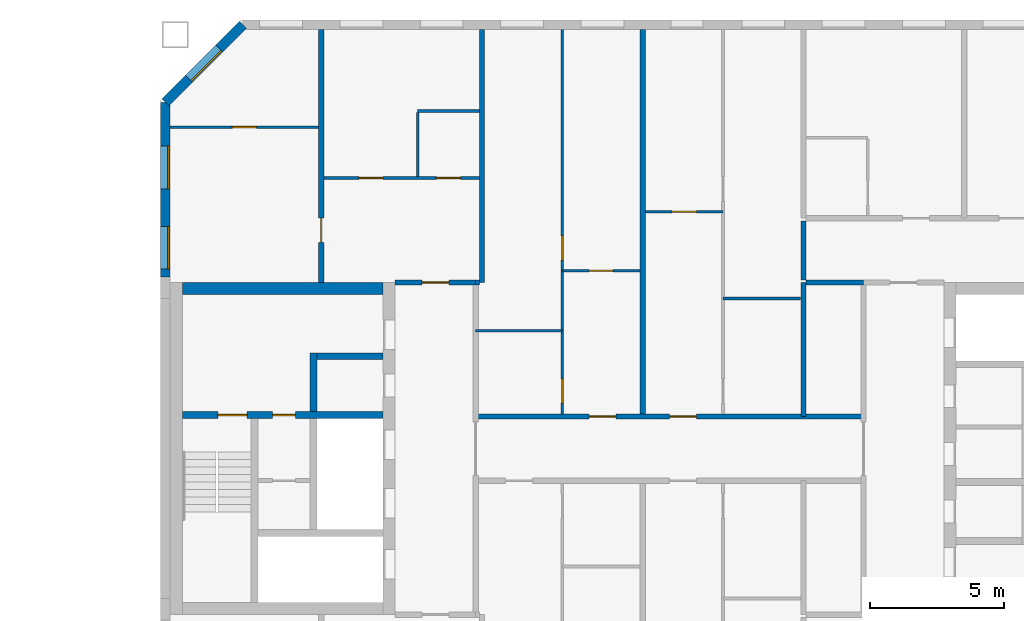
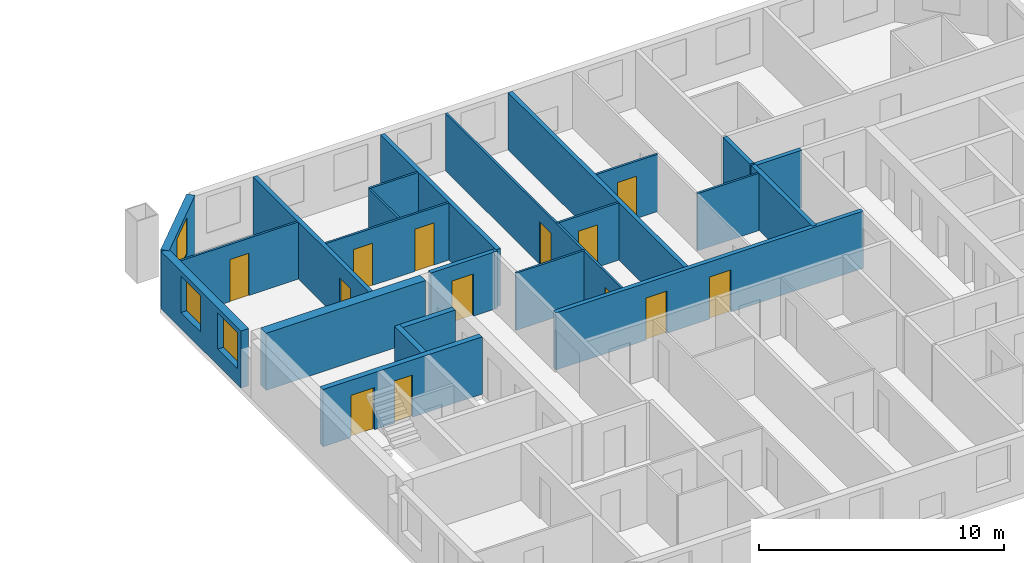
# One storey, part 10 of 15: 24 walls, 13 doors, 3 windows, 16 openings.
"""IFC4 building model written with IfcOpenShell, lengths in metres."""

from ifc_helpers import new_model, si_unit, direction, frame, frame_2d, origin, place, context, subcontext, project, spatial, rectangle, extrude, material, layer, layer_set, type_object, element, fill, save


model = new_model("IFC4")

# Units and contexts
model_context = context("Model", 3, precision=1e-05, world=origin(), true_north=direction((0.0, 1.0)))
body_context = subcontext(model_context, "Body", "Model", "MODEL_VIEW")
ifc_project = project(units=[si_unit("LENGTHUNIT", "METRE"), si_unit("AREAUNIT", "SQUARE_METRE"), si_unit("VOLUMEUNIT", "CUBIC_METRE"), si_unit("PLANEANGLEUNIT", "RADIAN"), si_unit("MASSUNIT", "GRAM", prefix="KILO")], contexts=[model_context])

# Site, building, storey
site_placement = place(None, origin())
site = spatial("IfcSite", under=ifc_project, at=site_placement, CompositionType="ELEMENT")
building_placement = place(site_placement, origin())
building = spatial("IfcBuilding", under=site, at=building_placement, Name="Tuart Gate Housing", CompositionType="ELEMENT")
storey_placement = place(building_placement, frame((0.0, 0.0, 191.300048828125)))
storey = spatial("IfcBuildingStorey", under=building, at=storey_placement, Name="L54", CompositionType="ELEMENT", Elevation=191.300048828125)

# Wall, opening, window
ifc_material_1 = material(Name="Brick", Category="masonry")
ifc_layer_1 = layer(ifc_material_1, 0.360107421875)
ifc_layer_set_1 = layer_set([ifc_layer_1], Name="Brick pier and spandrel wall 360")
wall_type_1 = type_object("IfcWallType", Name="Brick pier and spandrel wall 360", PredefinedType="STANDARD", material=ifc_layer_set_1)
wall_1_placement = place(storey_placement, frame((134.07470703125, 85.820068359375, 0.0), z_axis=(0.0, 0.0, 1.0), x_axis=(-0.707106781187, -0.707106781187, 0.0)))
wall_1 = element("IfcWall", 1, at=wall_1_placement, inside=storey, type_object=wall_type_1, Name="External wall B-NW L54", PredefinedType="STANDARD", context=body_context, shape_type="SweptSolid", body=[
    extrude(rectangle(XDim=4.09375, YDim=0.360107421875, at=frame_2d((2.046875, 0.0))), origin(), (0.0, 0.0, 1.0), 2.849853515625),
])
opening_1_placement = place(wall_1_placement, frame((1.2470703125, 0.0, 0.800048828125)))
opening_1 = element("IfcOpeningElement", 2, at=opening_1_placement, cuts=wall_1, Name="Opening W1", PredefinedType="OPENING", context=body_context, shape_type="SweptSolid", body=[
    extrude(rectangle(XDim=1.60009765625, YDim=1.800048828125, at=frame_2d((0.800048828125, 0.89990234375))), frame((0.0, 0.18994140625, 0.0), z_axis=(0.0, -1.0, 0.0), x_axis=(1.0, 0.0, 0.0)), (0.0, 0.0, 1.0), 0.380126953125),
])
ifc_material_2 = material(Name="Aluminium frame with clear glass", Category="aluminium")
window_type = type_object("IfcWindowType", Name="Punched window 1600 x 1800", PartitioningType="SINGLE_PANEL", PredefinedType="WINDOW", material=ifc_material_2)
window_1_placement = place(opening_1_placement, origin())
window_1 = element("IfcWindow", 3, at=window_1_placement, inside=storey, type_object=window_type, Name="Window W1", OverallHeight=1.800048828125, OverallWidth=1.60009765625, PartitioningType="SINGLE_PANEL", PredefinedType="WINDOW", context=body_context, shape_type="SweptSolid", body=[
    extrude(rectangle(XDim=1.60009765625, YDim=1.800048828125, at=frame_2d((0.800048828125, 0.89990234375))), frame((0.0, 0.150146484375, 0.0), z_axis=(0.0, -1.0, 0.0), x_axis=(1.0, 0.0, 0.0)), (0.0, 0.0, 1.0), 0.06005859375),
])
fill(opening_1, window_1)

# Wall, openings, windows
wall_2_placement = place(storey_placement, frame((131.179931640625, 82.92529296875, 0.0), z_axis=(0.0, 0.0, 1.0), x_axis=(0.0, -1.0, 0.0)))
wall_2 = element("IfcWall", 4, at=wall_2_placement, inside=storey, type_object=wall_type_1, Name="External wall B-W L54", PredefinedType="STANDARD", context=body_context, shape_type="SweptSolid", body=[
    extrude(rectangle(XDim=6.522216796875, YDim=0.360107421875, at=frame_2d((3.26123046875, 0.0))), origin(), (0.0, 0.0, 1.0), 2.849853515625),
])
opening_2_placement = place(wall_2_placement, frame((1.62548828125, 0.0, 0.800048828125)))
opening_2 = element("IfcOpeningElement", 5, at=opening_2_placement, cuts=wall_2, Name="Opening W1", PredefinedType="OPENING", context=body_context, shape_type="SweptSolid", body=[
    extrude(rectangle(XDim=1.60009765625, YDim=1.800048828125, at=frame_2d((0.800048828125, 0.89990234375))), frame((0.0, 0.18994140625, 0.0), z_axis=(0.0, -1.0, 0.0), x_axis=(1.0, 0.0, 0.0)), (0.0, 0.0, 1.0), 0.380126953125),
])
opening_3_placement = place(wall_2_placement, frame((4.62548828125, 0.0, 0.800048828125)))
opening_3 = element("IfcOpeningElement", 6, at=opening_3_placement, cuts=wall_2, Name="Opening W1", PredefinedType="OPENING", context=body_context, shape_type="SweptSolid", body=[
    extrude(rectangle(XDim=1.60009765625, YDim=1.800048828125, at=frame_2d((0.800048828125, 0.89990234375))), frame((0.0, 0.18994140625, 0.0), z_axis=(0.0, -1.0, 0.0), x_axis=(1.0, 0.0, 0.0)), (0.0, 0.0, 1.0), 0.380126953125),
])
window_2_placement = place(opening_2_placement, origin())
window_2 = element("IfcWindow", 7, at=window_2_placement, inside=storey, type_object=window_type, Name="Window W1", OverallHeight=1.800048828125, OverallWidth=1.60009765625, PartitioningType="SINGLE_PANEL", PredefinedType="WINDOW", context=body_context, shape_type="SweptSolid", body=[
    extrude(rectangle(XDim=1.60009765625, YDim=1.800048828125, at=frame_2d((0.800048828125, 0.89990234375))), frame((0.0, 0.150146484375, 0.0), z_axis=(0.0, -1.0, 0.0), x_axis=(1.0, 0.0, 0.0)), (0.0, 0.0, 1.0), 0.06005859375),
])
fill(opening_2, window_2)
window_3_placement = place(opening_3_placement, origin())
window_3 = element("IfcWindow", 8, at=window_3_placement, inside=storey, type_object=window_type, Name="Window W1", OverallHeight=1.800048828125, OverallWidth=1.60009765625, PartitioningType="SINGLE_PANEL", PredefinedType="WINDOW", context=body_context, shape_type="SweptSolid", body=[
    extrude(rectangle(XDim=1.60009765625, YDim=1.800048828125, at=frame_2d((0.800048828125, 0.89990234375))), frame((0.0, 0.150146484375, 0.0), z_axis=(0.0, -1.0, 0.0), x_axis=(1.0, 0.0, 0.0)), (0.0, 0.0, 1.0), 0.06005859375),
])
fill(opening_3, window_3)

# Wall, openings, doors
ifc_material_3 = material(Name="Concrete C40", Category="concrete")
ifc_layer_2 = layer(ifc_material_3, 0.25)
ifc_layer_set_2 = layer_set([ifc_layer_2], Name="Core wall 250 C40")
wall_type_2 = type_object("IfcWallType", Name="Core wall 250 C40", PredefinedType="SHEAR", material=ifc_layer_set_2)
wall_3_placement = place(storey_placement, frame((139.31005859375, 71.25, 0.0), z_axis=(0.0, 0.0, 1.0), x_axis=(-1.0, 0.0, 0.0)))
wall_3 = element("IfcWall", 9, at=wall_3_placement, inside=storey, type_object=wall_type_2, Name="Core wall BG.3", PredefinedType="SHEAR", context=body_context, shape_type="SweptSolid", body=[
    extrude(rectangle(XDim=7.5, YDim=0.25, at=frame_2d((3.75, 0.0))), origin(), (0.0, 0.0, 1.0), 2.849853515625),
])
opening_4_placement = place(wall_3_placement, frame((5.074951171875, 0.0, 0.0)))
opening_4 = element("IfcOpeningElement", 10, at=opening_4_placement, cuts=wall_3, Name="Opening D2681", PredefinedType="OPENING", context=body_context, shape_type="SweptSolid", body=[
    extrude(rectangle(XDim=1.10009765625, YDim=2.10009765625, at=frame_2d((0.550048828125, 1.050048828125))), frame((0.0, 0.135009765625, 0.0), z_axis=(0.0, -1.0, 0.0), x_axis=(1.0, 0.0, 0.0)), (0.0, 0.0, 1.0), 0.27001953125),
])
opening_5_placement = place(wall_3_placement, frame((3.27490234375, 0.0, 0.0)))
opening_5 = element("IfcOpeningElement", 11, at=opening_5_placement, cuts=wall_3, Name="Opening D2680", PredefinedType="OPENING", context=body_context, shape_type="SweptSolid", body=[
    extrude(rectangle(XDim=0.85009765625, YDim=2.10009765625, at=frame_2d((0.425048828125, 1.050048828125))), frame((0.0, 0.135009765625, 0.0), z_axis=(0.0, -1.0, 0.0), x_axis=(1.0, 0.0, 0.0)), (0.0, 0.0, 1.0), 0.27001953125),
])
ifc_material_4 = material(Name="Steel fire door", Category="steel")
door_type_1 = type_object("IfcDoorType", Name="Riser door 850 x 2100", OperationType="SINGLE_SWING_LEFT", PredefinedType="DOOR", material=ifc_material_4)
door_1_placement = place(opening_5_placement, origin())
door_1 = element("IfcDoor", 12, at=door_1_placement, inside=storey, type_object=door_type_1, Name="Service room door BG.W1", OperationType="SINGLE_SWING_LEFT", OverallHeight=2.10009765625, OverallWidth=0.85009765625, PredefinedType="DOOR", context=body_context, shape_type="SweptSolid", body=[
    extrude(rectangle(XDim=0.85009765625, YDim=2.10009765625, at=frame_2d((0.425048828125, 1.050048828125))), frame((0.0, 0.02490234375, 0.0), z_axis=(0.0, -1.0, 0.0), x_axis=(1.0, 0.0, 0.0)), (0.0, 0.0, 1.0), 0.050048828125),
])
fill(opening_5, door_1)
ifc_material_5 = material(Name="Steel fire door", Category="steel")
door_type_2 = type_object("IfcDoorType", Name="Stair door 1100 x 2100", OperationType="SINGLE_SWING_LEFT", PredefinedType="DOOR", material=ifc_material_5)
door_2_placement = place(opening_4_placement, origin())
door_2 = element("IfcDoor", 13, at=door_2_placement, inside=storey, type_object=door_type_2, Name="Stair door BG.SD", OperationType="SINGLE_SWING_LEFT", OverallHeight=2.10009765625, OverallWidth=1.10009765625, PredefinedType="DOOR", context=body_context, shape_type="SweptSolid", body=[
    extrude(rectangle(XDim=1.10009765625, YDim=2.10009765625, at=frame_2d((0.550048828125, 1.050048828125))), frame((0.0, 0.02490234375, 0.0), z_axis=(0.0, -1.0, 0.0), x_axis=(1.0, 0.0, 0.0)), (0.0, 0.0, 1.0), 0.050048828125),
])
fill(opening_4, door_2)

# Walls
wall_4_placement = place(storey_placement, frame((139.31005859375, 73.449951171875, 0.0), z_axis=(0.0, 0.0, 1.0), x_axis=(-1.0, 0.0, 0.0)))
element("IfcWall", 14, at=wall_4_placement, inside=storey, type_object=wall_type_2, Name="Core wall BG.4", PredefinedType="SHEAR", context=body_context, shape_type="SweptSolid", body=[
    extrude(rectangle(XDim=2.47509765625, YDim=0.25, at=frame_2d((1.237548828125, 0.0))), origin(), (0.0, 0.0, 1.0), 2.849853515625),
])
wall_5_placement = place(storey_placement, frame((136.7099609375, 71.375, 0.0), z_axis=(0.0, 0.0, 1.0), x_axis=(0.0, 1.0, 0.0)))
element("IfcWall", 15, at=wall_5_placement, inside=storey, type_object=wall_type_2, Name="Core wall BG.6", PredefinedType="SHEAR", context=body_context, shape_type="SweptSolid", body=[
    extrude(rectangle(XDim=2.199951171875, YDim=0.25, at=frame_2d((1.10009765625, 0.0))), origin(), (0.0, 0.0, 1.0), 2.849853515625),
])
ifc_material_6 = material(Name="Concrete C40", Category="concrete")
ifc_layer_3 = layer(ifc_material_6, 0.449951171875)
ifc_layer_set_3 = layer_set([ifc_layer_3], Name="Core wall 450 C40")
wall_type_3 = type_object("IfcWallType", Name="Core wall 450 C40", PredefinedType="SHEAR", material=ifc_layer_set_3)
wall_6_placement = place(storey_placement, frame((139.31005859375, 75.97509765625, 0.0), z_axis=(0.0, 0.0, 1.0), x_axis=(-1.0, 0.0, 0.0)))
element("IfcWall", 16, at=wall_6_placement, inside=storey, type_object=wall_type_3, Name="Core wall BG north", PredefinedType="SHEAR", context=body_context, shape_type="SweptSolid", body=[
    extrude(rectangle(XDim=7.5, YDim=0.449951171875, at=frame_2d((3.75, 0.0))), origin(), (0.0, 0.0, 1.0), 2.849853515625),
])

# Wall, openings, doors
ifc_material_7 = material(Name="Concrete masonry 15 MPa", Category="masonry")
ifc_layer_4 = layer(ifc_material_7, 0.199951171875)
ifc_layer_set_4 = layer_set([ifc_layer_4], Name="Corridor wall masonry 200")
wall_type_4 = type_object("IfcWallType", Name="Corridor wall masonry 200", PredefinedType="PARTITIONING", material=ifc_layer_set_4)
wall_7_placement = place(storey_placement, frame((142.760009765625, 71.199951171875, 0.0), z_axis=(0.0, 0.0, 1.0), x_axis=(1.0, 0.0, 0.0)))
wall_7 = element("IfcWall", 17, at=wall_7_placement, inside=storey, type_object=wall_type_4, Name="Corridor wall masonry 200", PredefinedType="PARTITIONING", context=body_context, shape_type="SweptSolid", body=[
    extrude(rectangle(XDim=14.47998046875, YDim=0.199951171875, at=frame_2d((7.239990234375, 0.0))), origin(), (0.0, 0.0, 1.0), 2.849853515625),
])
opening_6_placement = place(wall_7_placement, frame((4.239990234375, 0.0, 0.0)))
opening_6 = element("IfcOpeningElement", 18, at=opening_6_placement, cuts=wall_7, Name="Opening D2682", PredefinedType="OPENING", context=body_context, shape_type="SweptSolid", body=[
    extrude(rectangle(XDim=1.0, YDim=2.10009765625, at=frame_2d((0.5, 1.050048828125))), frame((0.0, 0.10986328125, 0.0), z_axis=(0.0, -1.0, 0.0), x_axis=(1.0, 0.0, 0.0)), (0.0, 0.0, 1.0), 0.219970703125),
])
opening_7_placement = place(wall_7_placement, frame((7.239990234375, 0.0, 0.0)))
opening_7 = element("IfcOpeningElement", 19, at=opening_7_placement, cuts=wall_7, Name="Opening D2683", PredefinedType="OPENING", context=body_context, shape_type="SweptSolid", body=[
    extrude(rectangle(XDim=1.0, YDim=2.10009765625, at=frame_2d((0.5, 1.050048828125))), frame((0.0, 0.10986328125, 0.0), z_axis=(0.0, -1.0, 0.0), x_axis=(1.0, 0.0, 0.0)), (0.0, 0.0, 1.0), 0.219970703125),
])
ifc_material_8 = material(Name="Timber door leaf in steel frame", Category="steel")
door_type_3 = type_object("IfcDoorType", Name="Flat entrance door 1000", OperationType="SINGLE_SWING_LEFT", PredefinedType="DOOR", material=ifc_material_8)
door_3_placement = place(opening_6_placement, origin())
door_3 = element("IfcDoor", 20, at=door_3_placement, inside=storey, type_object=door_type_3, Name="Flat entrance door", OperationType="SINGLE_SWING_LEFT", OverallHeight=2.10009765625, OverallWidth=1.0, PredefinedType="DOOR", context=body_context, shape_type="SweptSolid", body=[
    extrude(rectangle(XDim=1.0, YDim=2.10009765625, at=frame_2d((0.5, 1.050048828125))), frame((0.0, 0.02490234375, 0.0), z_axis=(0.0, -1.0, 0.0), x_axis=(1.0, 0.0, 0.0)), (0.0, 0.0, 1.0), 0.050048828125),
])
fill(opening_6, door_3)
door_4_placement = place(opening_7_placement, origin())
door_4 = element("IfcDoor", 21, at=door_4_placement, inside=storey, type_object=door_type_3, Name="Flat entrance door", OperationType="SINGLE_SWING_LEFT", OverallHeight=2.10009765625, OverallWidth=1.0, PredefinedType="DOOR", context=body_context, shape_type="SweptSolid", body=[
    extrude(rectangle(XDim=1.0, YDim=2.10009765625, at=frame_2d((0.5, 1.050048828125))), frame((0.0, 0.02490234375, 0.0), z_axis=(0.0, -1.0, 0.0), x_axis=(1.0, 0.0, 0.0)), (0.0, 0.0, 1.0), 0.050048828125),
])
fill(opening_7, door_4)

# Walls
wall_8_placement = place(storey_placement, frame((155.10009765625, 76.199951171875, 0.0), z_axis=(0.0, 0.0, 1.0), x_axis=(1.0, 0.0, 0.0)))
element("IfcWall", 22, at=wall_8_placement, inside=storey, type_object=wall_type_4, Name="Corridor wall masonry 200", PredefinedType="PARTITIONING", context=body_context, shape_type="SweptSolid", body=[
    extrude(rectangle(XDim=2.139892578125, YDim=0.199951171875, at=frame_2d((1.06982421875, 0.0))), origin(), (0.0, 0.0, 1.0), 2.849853515625),
])
wall_9_placement = place(storey_placement, frame((155.0, 76.300048828125, 0.0), z_axis=(0.0, 0.0, 1.0), x_axis=(0.0, 1.0, 0.0)))
element("IfcWall", 23, at=wall_9_placement, inside=storey, type_object=wall_type_4, Name="Corridor wall masonry 200", PredefinedType="PARTITIONING", context=body_context, shape_type="SweptSolid", body=[
    extrude(rectangle(XDim=2.199951171875, YDim=0.199951171875, at=frame_2d((1.10009765625, 0.0))), origin(), (0.0, 0.0, 1.0), 2.849853515625),
])

# Wall, opening, door
ifc_material_9 = material(Name="Concrete masonry 15 MPa", Category="masonry")
ifc_layer_5 = layer(ifc_material_9, 0.199951171875)
ifc_layer_set_5 = layer_set([ifc_layer_5], Name="Enclosure wall masonry 200")
wall_type_5 = type_object("IfcWallType", Name="Enclosure wall masonry 200", PredefinedType="PARTITIONING", material=ifc_layer_set_5)
wall_10_placement = place(storey_placement, frame((139.760009765625, 76.199951171875, 0.0), z_axis=(0.0, 0.0, 1.0), x_axis=(1.0, 0.0, 0.0)))
wall_10 = element("IfcWall", 24, at=wall_10_placement, inside=storey, type_object=wall_type_5, Name="Enclosure wall masonry 200", PredefinedType="PARTITIONING", context=body_context, shape_type="SweptSolid", body=[
    extrude(rectangle(XDim=3.0, YDim=0.199951171875, at=frame_2d((1.5, 0.0))), origin(), (0.0, 0.0, 1.0), 2.849853515625),
])
opening_8_placement = place(wall_10_placement, frame((1.0, 0.0, 0.0)))
opening_8 = element("IfcOpeningElement", 25, at=opening_8_placement, cuts=wall_10, Name="Opening D2678", PredefinedType="OPENING", context=body_context, shape_type="SweptSolid", body=[
    extrude(rectangle(XDim=1.0, YDim=2.10009765625, at=frame_2d((0.5, 1.050048828125))), frame((0.0, 0.10986328125, 0.0), z_axis=(0.0, -1.0, 0.0), x_axis=(1.0, 0.0, 0.0)), (0.0, 0.0, 1.0), 0.219970703125),
])
ifc_material_10 = material(Name="Timber door leaf in steel frame", Category="steel")
door_type_4 = type_object("IfcDoorType", Name="Flat entrance door 1000 RH", OperationType="SINGLE_SWING_RIGHT", PredefinedType="DOOR", material=ifc_material_10)
door_5_placement = place(opening_8_placement, origin())
door_5 = element("IfcDoor", 26, at=door_5_placement, inside=storey, type_object=door_type_4, Name="Flat entrance door", OperationType="SINGLE_SWING_RIGHT", OverallHeight=2.10009765625, OverallWidth=1.0, PredefinedType="DOOR", context=body_context, shape_type="SweptSolid", body=[
    extrude(rectangle(XDim=1.0, YDim=2.10009765625, at=frame_2d((0.5, 1.050048828125))), frame((0.0, 0.02490234375, 0.0), z_axis=(0.0, -1.0, 0.0), x_axis=(1.0, 0.0, 0.0)), (0.0, 0.0, 1.0), 0.050048828125),
])
fill(opening_8, door_5)

# Walls
ifc_material_11 = material(Name="Gypsum board on steel studs", Category="steel")
ifc_layer_6 = layer(ifc_material_11, 0.10009765625)
ifc_layer_set_6 = layer_set([ifc_layer_6], Name="Partition 100")
wall_type_6 = type_object("IfcWallType", Name="Partition 100", PredefinedType="PARTITIONING", material=ifc_layer_set_6)
wall_11_placement = place(storey_placement, frame((142.760009765625, 74.39990234375, 0.0), z_axis=(0.0, 0.0, 1.0), x_axis=(1.0, 0.0, 0.0)))
element("IfcWall", 27, at=wall_11_placement, inside=storey, type_object=wall_type_6, Name="Partition 100", PredefinedType="PARTITIONING", context=body_context, shape_type="SweptSolid", body=[
    extrude(rectangle(XDim=3.239990234375, YDim=0.10009765625, at=frame_2d((1.6201171875, 0.0))), origin(), (0.0, 0.0, 1.0), 2.849853515625),
])
wall_12_placement = place(storey_placement, frame((152.0, 75.60009765625, 0.0), z_axis=(0.0, 0.0, 1.0), x_axis=(1.0, 0.0, 0.0)))
element("IfcWall", 28, at=wall_12_placement, inside=storey, type_object=wall_type_6, Name="Partition 100", PredefinedType="PARTITIONING", context=body_context, shape_type="SweptSolid", body=[
    extrude(rectangle(XDim=2.89990234375, YDim=0.10009765625, at=frame_2d((1.449951171875, 0.0))), origin(), (0.0, 0.0, 1.0), 2.849853515625),
])

# Wall, opening, door
wall_13_placement = place(storey_placement, frame((146.0, 76.639892578125, 0.0), z_axis=(0.0, 0.0, 1.0), x_axis=(1.0, 0.0, 0.0)))
wall_13 = element("IfcWall", 29, at=wall_13_placement, inside=storey, type_object=wall_type_6, Name="Partition 100", PredefinedType="PARTITIONING", context=body_context, shape_type="SweptSolid", body=[
    extrude(rectangle(XDim=2.89990234375, YDim=0.10009765625, at=frame_2d((1.449951171875, 0.0))), origin(), (0.0, 0.0, 1.0), 2.849853515625),
])
opening_9_placement = place(wall_13_placement, frame((1.0, 0.0, 0.0)))
opening_9 = element("IfcOpeningElement", 30, at=opening_9_placement, cuts=wall_13, Name="Opening D2677", PredefinedType="OPENING", context=body_context, shape_type="SweptSolid", body=[
    extrude(rectangle(XDim=0.89990234375, YDim=2.10009765625, at=frame_2d((0.449951171875, 1.050048828125))), frame((0.0, 0.06005859375, 0.0), z_axis=(0.0, -1.0, 0.0), x_axis=(1.0, 0.0, 0.0)), (0.0, 0.0, 1.0), 0.1201171875),
])
ifc_material_12 = material(Name="Timber door leaf in steel frame", Category="steel")
door_type_5 = type_object("IfcDoorType", Name="Internal door 900 RH", OperationType="SINGLE_SWING_RIGHT", PredefinedType="DOOR", material=ifc_material_12)
door_6_placement = place(opening_9_placement, frame((0.89990234375, 0.0, 0.0), z_axis=(0.0, 0.0, 1.0), x_axis=(-1.0, 0.0, 0.0)))
door_6 = element("IfcDoor", 31, at=door_6_placement, inside=storey, type_object=door_type_5, Name="Internal door", OperationType="SINGLE_SWING_RIGHT", OverallHeight=2.10009765625, OverallWidth=0.89990234375, PredefinedType="DOOR", context=body_context, shape_type="SweptSolid", body=[
    extrude(rectangle(XDim=0.89990234375, YDim=2.10009765625, at=frame_2d((0.449951171875, 1.050048828125))), frame((0.0, 0.025146484375, 0.0), z_axis=(0.0, -1.0, 0.0), x_axis=(1.0, 0.0, 0.0)), (0.0, 0.0, 1.0), 0.050048828125),
])
fill(opening_9, door_6)

wall_14_placement = place(storey_placement, frame((149.10009765625, 78.840087890625, 0.0), z_axis=(0.0, 0.0, 1.0), x_axis=(1.0, 0.0, 0.0)))
wall_14 = element("IfcWall", 32, at=wall_14_placement, inside=storey, type_object=wall_type_6, Name="Partition 100", PredefinedType="PARTITIONING", context=body_context, shape_type="SweptSolid", body=[
    extrude(rectangle(XDim=2.89990234375, YDim=0.10009765625, at=frame_2d((1.449951171875, 0.0))), origin(), (0.0, 0.0, 1.0), 2.849853515625),
])
opening_10_placement = place(wall_14_placement, frame((1.0, 0.0, 0.0)))
opening_10 = element("IfcOpeningElement", 33, at=opening_10_placement, cuts=wall_14, Name="Opening D2670", PredefinedType="OPENING", context=body_context, shape_type="SweptSolid", body=[
    extrude(rectangle(XDim=0.89990234375, YDim=2.10009765625, at=frame_2d((0.449951171875, 1.050048828125))), frame((0.0, 0.06005859375, 0.0), z_axis=(0.0, -1.0, 0.0), x_axis=(1.0, 0.0, 0.0)), (0.0, 0.0, 1.0), 0.1201171875),
])
ifc_material_13 = material(Name="Timber door leaf in steel frame", Category="steel")
door_type_6 = type_object("IfcDoorType", Name="Internal door 900", OperationType="SINGLE_SWING_LEFT", PredefinedType="DOOR", material=ifc_material_13)
door_7_placement = place(opening_10_placement, frame((0.89990234375, 0.0, 0.0), z_axis=(0.0, 0.0, 1.0), x_axis=(-1.0, 0.0, 0.0)))
door_7 = element("IfcDoor", 34, at=door_7_placement, inside=storey, type_object=door_type_6, Name="Internal door", OperationType="SINGLE_SWING_LEFT", OverallHeight=2.10009765625, OverallWidth=0.89990234375, PredefinedType="DOOR", context=body_context, shape_type="SweptSolid", body=[
    extrude(rectangle(XDim=0.89990234375, YDim=2.10009765625, at=frame_2d((0.449951171875, 1.050048828125))), frame((0.0, 0.025146484375, 0.0), z_axis=(0.0, -1.0, 0.0), x_axis=(1.0, 0.0, 0.0)), (0.0, 0.0, 1.0), 0.050048828125),
])
fill(opening_10, door_7)

# Wall, openings, doors
wall_15_placement = place(storey_placement, frame((137.10009765625, 80.10009765625, 0.0), z_axis=(0.0, 0.0, 1.0), x_axis=(1.0, 0.0, 0.0)))
wall_15 = element("IfcWall", 35, at=wall_15_placement, inside=storey, type_object=wall_type_6, Name="Partition 100", PredefinedType="PARTITIONING", context=body_context, shape_type="SweptSolid", body=[
    extrude(rectangle(XDim=5.7998046875, YDim=0.10009765625, at=frame_2d((2.89990234375, 0.0))), origin(), (0.0, 0.0, 1.0), 2.849853515625),
])
opening_11_placement = place(wall_15_placement, frame((1.300048828125, 0.0, 0.0)))
opening_11 = element("IfcOpeningElement", 36, at=opening_11_placement, cuts=wall_15, Name="Opening D2669", PredefinedType="OPENING", context=body_context, shape_type="SweptSolid", body=[
    extrude(rectangle(XDim=0.89990234375, YDim=2.10009765625, at=frame_2d((0.449951171875, 1.050048828125))), frame((0.0, 0.06005859375, 0.0), z_axis=(0.0, -1.0, 0.0), x_axis=(1.0, 0.0, 0.0)), (0.0, 0.0, 1.0), 0.1201171875),
])
opening_12_placement = place(wall_15_placement, frame((4.199951171875, 0.0, 0.0)))
opening_12 = element("IfcOpeningElement", 37, at=opening_12_placement, cuts=wall_15, Name="Opening D2668", PredefinedType="OPENING", context=body_context, shape_type="SweptSolid", body=[
    extrude(rectangle(XDim=0.89990234375, YDim=2.10009765625, at=frame_2d((0.449951171875, 1.050048828125))), frame((0.0, 0.06005859375, 0.0), z_axis=(0.0, -1.0, 0.0), x_axis=(1.0, 0.0, 0.0)), (0.0, 0.0, 1.0), 0.1201171875),
])
ifc_material_14 = material(Name="Timber door leaf in steel frame", Category="steel")
door_type_7 = type_object("IfcDoorType", Name="Bathroom door 900", OperationType="SINGLE_SWING_LEFT", PredefinedType="DOOR", material=ifc_material_14)
door_8_placement = place(opening_12_placement, origin())
door_8 = element("IfcDoor", 38, at=door_8_placement, inside=storey, type_object=door_type_7, Name="Bathroom door", OperationType="SINGLE_SWING_LEFT", OverallHeight=2.10009765625, OverallWidth=0.89990234375, PredefinedType="DOOR", context=body_context, shape_type="SweptSolid", body=[
    extrude(rectangle(XDim=0.89990234375, YDim=2.10009765625, at=frame_2d((0.449951171875, 1.050048828125))), frame((0.0, 0.02490234375, 0.0), z_axis=(0.0, -1.0, 0.0), x_axis=(1.0, 0.0, 0.0)), (0.0, 0.0, 1.0), 0.050048828125),
])
fill(opening_12, door_8)
door_9_placement = place(opening_11_placement, origin())
door_9 = element("IfcDoor", 39, at=door_9_placement, inside=storey, type_object=door_type_5, Name="Internal door", OperationType="SINGLE_SWING_RIGHT", OverallHeight=2.10009765625, OverallWidth=0.89990234375, PredefinedType="DOOR", context=body_context, shape_type="SweptSolid", body=[
    extrude(rectangle(XDim=0.89990234375, YDim=2.10009765625, at=frame_2d((0.449951171875, 1.050048828125))), frame((0.0, 0.02490234375, 0.0), z_axis=(0.0, -1.0, 0.0), x_axis=(1.0, 0.0, 0.0)), (0.0, 0.0, 1.0), 0.050048828125),
])
fill(opening_11, door_9)

# Wall, opening, door
wall_16_placement = place(storey_placement, frame((131.360107421875, 82.0, 0.0), z_axis=(0.0, 0.0, 1.0), x_axis=(1.0, 0.0, 0.0)))
wall_16 = element("IfcWall", 40, at=wall_16_placement, inside=storey, type_object=wall_type_6, Name="Partition 100", PredefinedType="PARTITIONING", context=body_context, shape_type="SweptSolid", body=[
    extrude(rectangle(XDim=5.539794921875, YDim=0.10009765625, at=frame_2d((2.77001953125, 0.0))), origin(), (0.0, 0.0, 1.0), 2.849853515625),
])
opening_13_placement = place(wall_16_placement, frame((2.320068359375, 0.0, 0.0)))
opening_13 = element("IfcOpeningElement", 41, at=opening_13_placement, cuts=wall_16, Name="Opening D2664", PredefinedType="OPENING", context=body_context, shape_type="SweptSolid", body=[
    extrude(rectangle(XDim=0.89990234375, YDim=2.10009765625, at=frame_2d((0.449951171875, 1.050048828125))), frame((0.0, 0.06005859375, 0.0), z_axis=(0.0, -1.0, 0.0), x_axis=(1.0, 0.0, 0.0)), (0.0, 0.0, 1.0), 0.1201171875),
])
door_10_placement = place(opening_13_placement, origin())
door_10 = element("IfcDoor", 42, at=door_10_placement, inside=storey, type_object=door_type_6, Name="Internal door", OperationType="SINGLE_SWING_LEFT", OverallHeight=2.10009765625, OverallWidth=0.89990234375, PredefinedType="DOOR", context=body_context, shape_type="SweptSolid", body=[
    extrude(rectangle(XDim=0.89990234375, YDim=2.10009765625, at=frame_2d((0.449951171875, 1.050048828125))), frame((0.0, 0.02490234375, 0.0), z_axis=(0.0, -1.0, 0.0), x_axis=(1.0, 0.0, 0.0)), (0.0, 0.0, 1.0), 0.050048828125),
])
fill(opening_13, door_10)

# Walls
wall_17_placement = place(storey_placement, frame((140.60009765625, 82.60009765625, 0.0), z_axis=(0.0, 0.0, 1.0), x_axis=(1.0, 0.0, 0.0)))
element("IfcWall", 43, at=wall_17_placement, inside=storey, type_object=wall_type_6, Name="Partition 100", PredefinedType="PARTITIONING", context=body_context, shape_type="SweptSolid", body=[
    extrude(rectangle(XDim=2.2998046875, YDim=0.10009765625, at=frame_2d((1.14990234375, 0.0))), origin(), (0.0, 0.0, 1.0), 2.849853515625),
])
wall_18_placement = place(storey_placement, frame((140.60009765625, 80.14990234375, 0.0), z_axis=(0.0, 0.0, 1.0), x_axis=(0.0, 1.0, 0.0)))
element("IfcWall", 44, at=wall_18_placement, inside=storey, type_object=wall_type_6, Name="Partition 100", PredefinedType="PARTITIONING", context=body_context, shape_type="SweptSolid", body=[
    extrude(rectangle(XDim=2.400146484375, YDim=0.10009765625, at=frame_2d((1.2001953125, 0.0))), origin(), (0.0, 0.0, 1.0), 2.849853515625),
])

# Wall, openings, doors
wall_19_placement = place(storey_placement, frame((146.0, 71.300048828125, 0.0), z_axis=(0.0, 0.0, 1.0), x_axis=(0.0, 1.0, 0.0)))
wall_19 = element("IfcWall", 45, at=wall_19_placement, inside=storey, type_object=wall_type_6, Name="Partition 100", PredefinedType="PARTITIONING", context=body_context, shape_type="SweptSolid", body=[
    extrude(rectangle(XDim=14.33984375, YDim=0.10009765625, at=frame_2d((7.169921875, 0.0))), origin(), (0.0, 0.0, 1.0), 2.849853515625),
])
opening_14_placement = place(wall_19_placement, frame((5.739990234375, 0.0, 0.0)))
opening_14 = element("IfcOpeningElement", 46, at=opening_14_placement, cuts=wall_19, Name="Opening D2674", PredefinedType="OPENING", context=body_context, shape_type="SweptSolid", body=[
    extrude(rectangle(XDim=0.89990234375, YDim=2.10009765625, at=frame_2d((0.449951171875, 1.050048828125))), frame((0.0, 0.06005859375, 0.0), z_axis=(0.0, -1.0, 0.0), x_axis=(1.0, 0.0, 0.0)), (0.0, 0.0, 1.0), 0.1201171875),
])
opening_15_placement = place(wall_19_placement, frame((0.39990234375, 0.0, 0.0)))
opening_15 = element("IfcOpeningElement", 47, at=opening_15_placement, cuts=wall_19, Name="Opening D2673", PredefinedType="OPENING", context=body_context, shape_type="SweptSolid", body=[
    extrude(rectangle(XDim=0.89990234375, YDim=2.10009765625, at=frame_2d((0.449951171875, 1.050048828125))), frame((0.0, 0.06005859375, 0.0), z_axis=(0.0, -1.0, 0.0), x_axis=(1.0, 0.0, 0.0)), (0.0, 0.0, 1.0), 0.1201171875),
])
door_11_placement = place(opening_15_placement, origin())
door_11 = element("IfcDoor", 48, at=door_11_placement, inside=storey, type_object=door_type_7, Name="Bathroom door", OperationType="SINGLE_SWING_LEFT", OverallHeight=2.10009765625, OverallWidth=0.89990234375, PredefinedType="DOOR", context=body_context, shape_type="SweptSolid", body=[
    extrude(rectangle(XDim=0.89990234375, YDim=2.10009765625, at=frame_2d((0.449951171875, 1.050048828125))), frame((0.0, 0.02490234375, 0.0), z_axis=(0.0, -1.0, 0.0), x_axis=(1.0, 0.0, 0.0)), (0.0, 0.0, 1.0), 0.050048828125),
])
fill(opening_15, door_11)
door_12_placement = place(opening_14_placement, origin())
door_12 = element("IfcDoor", 49, at=door_12_placement, inside=storey, type_object=door_type_6, Name="Internal door", OperationType="SINGLE_SWING_LEFT", OverallHeight=2.10009765625, OverallWidth=0.89990234375, PredefinedType="DOOR", context=body_context, shape_type="SweptSolid", body=[
    extrude(rectangle(XDim=0.89990234375, YDim=2.10009765625, at=frame_2d((0.449951171875, 1.050048828125))), frame((0.0, 0.02490234375, 0.0), z_axis=(0.0, -1.0, 0.0), x_axis=(1.0, 0.0, 0.0)), (0.0, 0.0, 1.0), 0.050048828125),
])
fill(opening_14, door_12)

# Wall, opening, door
ifc_material_15 = material(Name="Concrete C40", Category="concrete")
ifc_layer_7 = layer(ifc_material_15, 0.199951171875)
ifc_layer_set_7 = layer_set([ifc_layer_7], Name="Party wall concrete C40 200")
wall_type_7 = type_object("IfcWallType", Name="Party wall concrete C40 200", PredefinedType="SOLIDWALL", material=ifc_layer_set_7)
wall_20_placement = place(storey_placement, frame((137.0, 76.199951171875, 0.0), z_axis=(0.0, 0.0, 1.0), x_axis=(0.0, 1.0, 0.0)))
wall_20 = element("IfcWall", 50, at=wall_20_placement, inside=storey, type_object=wall_type_7, Name="Party wall concrete C40 200", PredefinedType="SOLIDWALL", context=body_context, shape_type="SweptSolid", body=[
    extrude(rectangle(XDim=9.43994140625, YDim=0.199951171875, at=frame_2d((4.719970703125, 0.0))), origin(), (0.0, 0.0, 1.0), 2.849853515625),
])
opening_16_placement = place(wall_20_placement, frame((1.5, 0.0, 0.0)))
opening_16 = element("IfcOpeningElement", 51, at=opening_16_placement, cuts=wall_20, Name="Opening D2665", PredefinedType="OPENING", context=body_context, shape_type="SweptSolid", body=[
    extrude(rectangle(XDim=0.89990234375, YDim=2.10009765625, at=frame_2d((0.449951171875, 1.050048828125))), frame((0.0, 0.10986328125, 0.0), z_axis=(0.0, -1.0, 0.0), x_axis=(1.0, 0.0, 0.0)), (0.0, 0.0, 1.0), 0.219970703125),
])
door_13_placement = place(opening_16_placement, frame((0.89990234375, 0.0, 0.0), z_axis=(0.0, 0.0, 1.0), x_axis=(-1.0, 0.0, 0.0)))
door_13 = element("IfcDoor", 52, at=door_13_placement, inside=storey, type_object=door_type_5, Name="Internal door", OperationType="SINGLE_SWING_RIGHT", OverallHeight=2.10009765625, OverallWidth=0.89990234375, PredefinedType="DOOR", context=body_context, shape_type="SweptSolid", body=[
    extrude(rectangle(XDim=0.89990234375, YDim=2.10009765625, at=frame_2d((0.449951171875, 1.050048828125))), frame((0.0, 0.025146484375, 0.0), z_axis=(0.0, -1.0, 0.0), x_axis=(1.0, 0.0, 0.0)), (0.0, 0.0, 1.0), 0.050048828125),
])
fill(opening_16, door_13)

# Walls
wall_21_placement = place(storey_placement, frame((143.0, 76.199951171875, 0.0), z_axis=(0.0, 0.0, 1.0), x_axis=(0.0, 1.0, 0.0)))
element("IfcWall", 53, at=wall_21_placement, inside=storey, type_object=wall_type_7, Name="Party wall concrete C40 200", PredefinedType="SOLIDWALL", context=body_context, shape_type="SweptSolid", body=[
    extrude(rectangle(XDim=9.43994140625, YDim=0.199951171875, at=frame_2d((4.719970703125, 0.0))), origin(), (0.0, 0.0, 1.0), 2.849853515625),
])
wall_22_placement = place(storey_placement, frame((149.0, 71.199951171875, 0.0), z_axis=(0.0, 0.0, 1.0), x_axis=(0.0, 1.0, 0.0)))
element("IfcWall", 54, at=wall_22_placement, inside=storey, type_object=wall_type_7, Name="Party wall concrete C40 200", PredefinedType="SOLIDWALL", context=body_context, shape_type="SweptSolid", body=[
    extrude(rectangle(XDim=14.43994140625, YDim=0.199951171875, at=frame_2d((7.219970703125, 0.0))), origin(), (0.0, 0.0, 1.0), 2.849853515625),
])
wall_23_placement = place(storey_placement, frame((155.0, 71.199951171875, 0.0), z_axis=(0.0, 0.0, 1.0), x_axis=(0.0, 1.0, 0.0)))
element("IfcWall", 55, at=wall_23_placement, inside=storey, type_object=wall_type_7, Name="Party wall concrete C40 200", PredefinedType="SOLIDWALL", context=body_context, shape_type="SweptSolid", body=[
    extrude(rectangle(XDim=5.0, YDim=0.199951171875, at=frame_2d((2.5, 0.0))), origin(), (0.0, 0.0, 1.0), 2.849853515625),
])
ifc_material_16 = material(Name="Concrete masonry 15 MPa", Category="masonry")
ifc_layer_8 = layer(ifc_material_16, 0.199951171875)
ifc_layer_set_8 = layer_set([ifc_layer_8], Name="Party wall masonry 200")
wall_type_8 = type_object("IfcWallType", Name="Party wall masonry 200", PredefinedType="PARTITIONING", material=ifc_layer_set_8)
wall_24_placement = place(storey_placement, frame((142.760009765625, 76.199951171875, 0.0), z_axis=(0.0, 0.0, 1.0), x_axis=(1.0, 0.0, 0.0)))
element("IfcWall", 56, at=wall_24_placement, inside=storey, type_object=wall_type_8, Name="Party wall masonry 200", PredefinedType="PARTITIONING", context=body_context, shape_type="SweptSolid", body=[
    extrude(rectangle(XDim=0.139892578125, YDim=0.199951171875, at=frame_2d((0.06982421875, 0.0))), origin(), (0.0, 0.0, 1.0), 2.849853515625),
])

save(model, "model.ifc")
